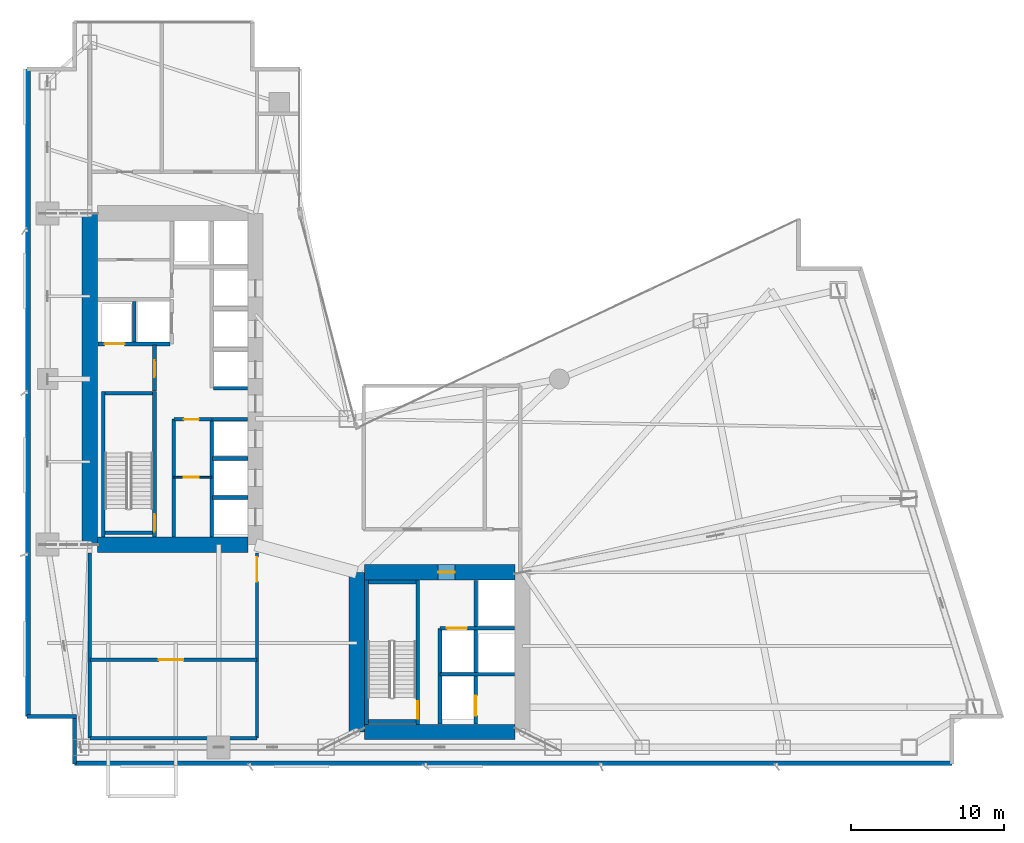
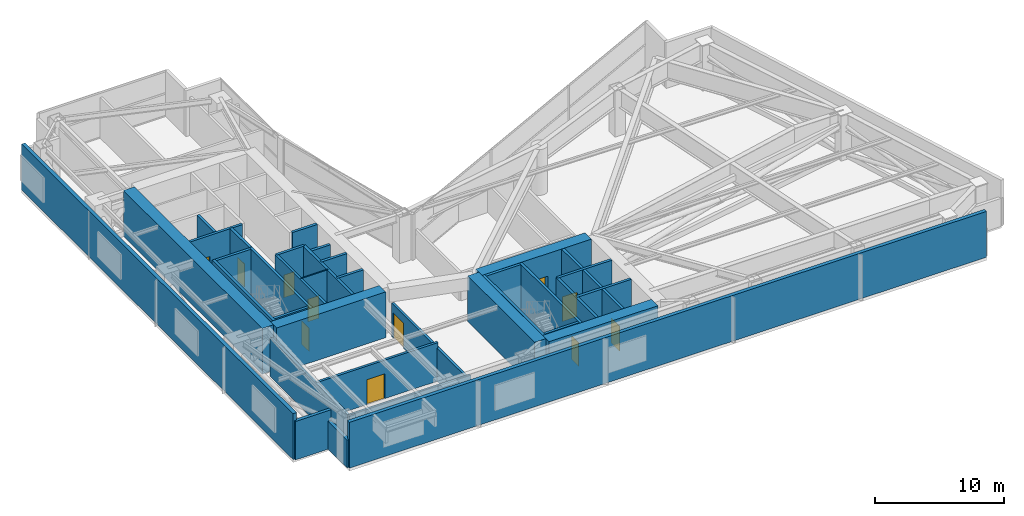
# One storey, part 14 of 18: 36 walls, 11 doors, 11 openings.
"""IFC4 building model written with IfcOpenShell, lengths in metres."""

from ifc_helpers import new_model, si_unit, direction, frame, frame_2d, origin, place, context, subcontext, project, spatial, rectangle, extrude, material, layer, layer_set, type_object, element, fill, save


model = new_model("IFC4")

# Units and contexts
model_context = context("Model", 3, precision=1e-05, world=origin(), true_north=direction((0.0, 1.0)))
body_context = subcontext(model_context, "Body", "Model", "MODEL_VIEW")
ifc_project = project(units=[si_unit("LENGTHUNIT", "METRE"), si_unit("AREAUNIT", "SQUARE_METRE"), si_unit("VOLUMEUNIT", "CUBIC_METRE"), si_unit("PLANEANGLEUNIT", "RADIAN"), si_unit("MASSUNIT", "GRAM", prefix="KILO")], contexts=[model_context])

# Site, building, storey
site_placement = place(None, origin())
site = spatial("IfcSite", under=ifc_project, at=site_placement, CompositionType="ELEMENT")
building_placement = place(site_placement, origin())
building = spatial("IfcBuilding", under=site, at=building_placement, Name="Calvorn Quay Hotel", CompositionType="ELEMENT")
storey_placement = place(building_placement, frame((0.0, 0.0, 92.60009765625)))
storey = spatial("IfcBuildingStorey", under=building, at=storey_placement, Name="L22", CompositionType="ELEMENT", Elevation=92.60009765625)

# Walls
ifc_material_1 = material(Name="Concrete C60", Category="concrete")
ifc_layer_1 = layer(ifc_material_1, 1.0)
ifc_layer_set_1 = layer_set([ifc_layer_1], Name="WL-CORE-1000")
wall_type_1 = type_object("IfcWallType", Name="WL-CORE-1000", PredefinedType="SHEAR", material=ifc_layer_set_1)
wall_1_placement = place(storey_placement, frame((4.199951171875, 16.800048828125, 0.0), z_axis=(0.0, 0.0, 1.0), x_axis=(0.0, 1.0, 0.0)))
element("IfcWall", 1, at=wall_1_placement, inside=storey, type_object=wall_type_1, Name="West Core Shear Wall W (L22)", PredefinedType="SHEAR", context=body_context, shape_type="SweptSolid", body=[
    extrude(rectangle(XDim=21.599853515625, YDim=1.0, at=frame_2d((10.7998046875, 0.0))), origin(), (0.0, 0.0, 1.0), 4.349853515625),
])
wall_2_placement = place(storey_placement, frame((4.699951171875, 16.800048828125, 0.0), z_axis=(0.0, 0.0, 1.0), x_axis=(1.0, 0.0, 0.0)))
element("IfcWall", 2, at=wall_2_placement, inside=storey, type_object=wall_type_1, Name="West Core Shear Wall S (L22)", PredefinedType="SHEAR", context=body_context, shape_type="SweptSolid", body=[
    extrude(rectangle(XDim=9.800048828125, YDim=1.0, at=frame_2d((4.89990234375, 0.0))), origin(), (0.0, 0.0, 1.0), 4.349853515625),
])
wall_3_placement = place(storey_placement, frame((21.60009765625, 4.60009765625, 0.0), z_axis=(0.0, 0.0, 1.0), x_axis=(0.0, 1.0, 0.0)))
element("IfcWall", 3, at=wall_3_placement, inside=storey, type_object=wall_type_1, Name="East Core Shear Wall W (L22)", PredefinedType="SHEAR", context=body_context, shape_type="SweptSolid", body=[
    extrude(rectangle(XDim=10.39990234375, YDim=1.0, at=frame_2d((5.199951171875, 0.0))), origin(), (0.0, 0.0, 1.0), 4.349853515625),
])

# Wall, opening, door
wall_4_placement = place(storey_placement, frame((22.10009765625, 15.0, 0.0), z_axis=(0.0, 0.0, 1.0), x_axis=(1.0, 0.0, 0.0)))
wall_4 = element("IfcWall", 4, at=wall_4_placement, inside=storey, type_object=wall_type_1, Name="East Core Shear Wall N (L22)", PredefinedType="SHEAR", context=body_context, shape_type="SweptSolid", body=[
    extrude(rectangle(XDim=9.7998046875, YDim=1.0, at=frame_2d((4.89990234375, 0.0))), origin(), (0.0, 0.0, 1.0), 4.349853515625),
])
opening_1_placement = place(wall_4_placement, frame((4.800048828125, 0.0, 0.0)))
opening_1 = element("IfcOpeningElement", 5, at=opening_1_placement, cuts=wall_4, Name="Opening D-L22-FLE", PredefinedType="OPENING", context=body_context, shape_type="SweptSolid", body=[
    extrude(rectangle(XDim=1.10009765625, YDim=2.199951171875, at=frame_2d((0.550048828125, 1.10009765625))), frame((0.0, 0.510009765625, 0.0), z_axis=(0.0, -1.0, 0.0), x_axis=(1.0, 0.0, 0.0)), (0.0, 0.0, 1.0), 1.02001953125),
])
ifc_material_2 = material(Name="Smoke-Sealed Steel Class A Fire Door", Category="steel")
door_type_1 = type_object("IfcDoorType", Name="DR-FFLOBBY-1100", OperationType="NOTDEFINED", PredefinedType="DOOR", material=ifc_material_2)
door_1_placement = place(opening_1_placement, origin())
door_1 = element("IfcDoor", 6, at=door_1_placement, inside=storey, type_object=door_type_1, Name="East Firefighting Lobby Fire Door (L22)", OperationType="SINGLE_SWING_RIGHT", OverallHeight=2.199951171875, OverallWidth=1.10009765625, PredefinedType="DOOR", context=body_context, shape_type="SweptSolid", body=[
    extrude(rectangle(XDim=1.10009765625, YDim=2.199951171875, at=frame_2d((0.550048828125, 1.10009765625))), frame((0.0, 0.02490234375, 0.0), z_axis=(0.0, -1.0, 0.0), x_axis=(1.0, 0.0, 0.0)), (0.0, 0.0, 1.0), 0.050048828125),
])
fill(opening_1, door_1)

# Wall
wall_5_placement = place(storey_placement, frame((22.10009765625, 4.60009765625, 0.0), z_axis=(0.0, 0.0, 1.0), x_axis=(1.0, 0.0, 0.0)))
element("IfcWall", 7, at=wall_5_placement, inside=storey, type_object=wall_type_1, Name="East Core Shear Wall S (L22)", PredefinedType="SHEAR", context=body_context, shape_type="SweptSolid", body=[
    extrude(rectangle(XDim=9.7998046875, YDim=1.0, at=frame_2d((4.89990234375, 0.0))), origin(), (0.0, 0.0, 1.0), 4.349853515625),
])

# Wall, opening, door
ifc_material_3 = material(Name="Moisture-Resistant Tile-Backed Partition")
ifc_layer_2 = layer(ifc_material_3, 0.125)
ifc_layer_set_2 = layer_set([ifc_layer_2], Name="WL-ENSUITE-125")
wall_type_2 = type_object("IfcWallType", Name="WL-ENSUITE-125", PredefinedType="PARTITIONING", material=ifc_layer_set_2)
wall_6_placement = place(storey_placement, frame((9.679931640625, 21.199951171875, 0.0), z_axis=(0.0, 0.0, 1.0), x_axis=(1.0, 0.0, 0.0)))
wall_6 = element("IfcWall", 8, at=wall_6_placement, inside=storey, type_object=wall_type_2, Name="Partition Wall L22-WL-CWW-SER-M", PredefinedType="PARTITIONING", context=body_context, shape_type="SweptSolid", body=[
    extrude(rectangle(XDim=2.469970703125, YDim=0.125, at=frame_2d((1.23486328125, 0.0))), origin(), (0.0, 0.0, 1.0), 4.349853515625),
])
opening_2_placement = place(wall_6_placement, frame((0.64990234375, 0.0, 0.0)))
opening_2 = element("IfcOpeningElement", 9, at=opening_2_placement, cuts=wall_6, Name="Opening D-L22-CSM", PredefinedType="OPENING", context=body_context, shape_type="SweptSolid", body=[
    extrude(rectangle(XDim=0.97998046875, YDim=2.14990234375, at=frame_2d((0.489990234375, 1.074951171875))), frame((0.0, 0.072509765625, 0.0), z_axis=(0.0, -1.0, 0.0), x_axis=(1.0, 0.0, 0.0)), (0.0, 0.0, 1.0), 0.14501953125),
])
ifc_material_4 = material(Name="Painted Steel Housekeeping/Riser Fire Door", Category="steel")
door_type_2 = type_object("IfcDoorType", Name="DR-SERVICE-980", OperationType="NOTDEFINED", PredefinedType="DOOR", material=ifc_material_4)
door_2_placement = place(opening_2_placement, origin())
door_2 = element("IfcDoor", 10, at=door_2_placement, inside=storey, type_object=door_type_2, Name="Core Valet Pantry Door (L22)", OperationType="SINGLE_SWING_LEFT", OverallHeight=2.14990234375, OverallWidth=0.97998046875, PredefinedType="DOOR", context=body_context, shape_type="SweptSolid", body=[
    extrude(rectangle(XDim=0.97998046875, YDim=2.14990234375, at=frame_2d((0.489990234375, 1.074951171875))), frame((0.0, 0.02490234375, 0.0), z_axis=(0.0, -1.0, 0.0), x_axis=(1.0, 0.0, 0.0)), (0.0, 0.0, 1.0), 0.050048828125),
])
fill(opening_2, door_2)

# Walls
ifc_material_5 = material(Name="Concrete C40", Category="concrete")
ifc_layer_3 = layer(ifc_material_5, 0.320068359375)
ifc_layer_set_3 = layer_set([ifc_layer_3], Name="WL-EXT-SPANDREL-320")
wall_type_3 = type_object("IfcWallType", Name="WL-EXT-SPANDREL-320", PredefinedType="SOLIDWALL", material=ifc_layer_set_3)
wall_7_placement = place(storey_placement, frame((0.159912109375, 5.60009765625, 0.0), z_axis=(0.0, 0.0, 1.0), x_axis=(0.0, 1.0, 0.0)))
element("IfcWall", 11, at=wall_7_placement, inside=storey, type_object=wall_type_3, Name="Refuge Mechanical Louvre Spandrel Wall West (L22)", PredefinedType="SOLIDWALL", context=body_context, shape_type="SweptSolid", body=[
    extrude(rectangle(XDim=42.199951171875, YDim=0.320068359375, at=frame_2d((21.10009765625, 0.0))), origin(), (0.0, 0.0, 1.0), 4.349853515625),
])
wall_8_placement = place(storey_placement, frame((3.199951171875, 2.56005859375, 0.0), z_axis=(0.0, 0.0, 1.0), x_axis=(1.0, 0.0, 0.0)))
element("IfcWall", 12, at=wall_8_placement, inside=storey, type_object=wall_type_3, Name="Refuge Mechanical Louvre Spandrel Wall South (L22)", PredefinedType="SOLIDWALL", context=body_context, shape_type="SweptSolid", body=[
    extrude(rectangle(XDim=57.199951171875, YDim=0.320068359375, at=frame_2d((28.60009765625, 0.0))), origin(), (0.0, 0.0, 1.0), 4.349853515625),
])
wall_9_placement = place(storey_placement, frame((0.1201171875, 5.60009765625, 0.0), z_axis=(0.0, 0.0, 1.0), x_axis=(1.0, 0.0, 0.0)))
element("IfcWall", 13, at=wall_9_placement, inside=storey, type_object=wall_type_3, Name="Notched Corner Spandrel L22-SW1", PredefinedType="SOLIDWALL", context=body_context, shape_type="SweptSolid", body=[
    extrude(rectangle(XDim=3.219970703125, YDim=0.280029296875, at=frame_2d((1.60986328125, 0.0))), origin(), (0.0, 0.0, 1.0), 3.64990234375),
])
wall_10_placement = place(storey_placement, frame((3.199951171875, 5.4599609375, 0.0), z_axis=(0.0, 0.0, 1.0), x_axis=(0.0, -1.0, 0.0)))
element("IfcWall", 14, at=wall_10_placement, inside=storey, type_object=wall_type_3, Name="Notched Corner Spandrel L22-SW2", PredefinedType="SOLIDWALL", context=body_context, shape_type="SweptSolid", body=[
    extrude(rectangle(XDim=2.93994140625, YDim=0.280029296875, at=frame_2d((1.469970703125, 0.0))), origin(), (0.0, 0.0, 1.0), 2.64990234375),
])
ifc_material_6 = material(Name="Autoclaved Aerated Masonry Block", Category="masonry")
ifc_layer_4 = layer(ifc_material_6, 0.219970703125)
ifc_layer_set_4 = layer_set([ifc_layer_4], Name="WL-LOBBY-FIRE-220")
wall_type_4 = type_object("IfcWallType", Name="WL-LOBBY-FIRE-220", PredefinedType="SOLIDWALL", material=ifc_layer_set_4)
wall_11_placement = place(storey_placement, frame((9.679931640625, 17.320068359375, 0.0), z_axis=(0.0, 0.0, 1.0), x_axis=(0.0, 1.0, 0.0)))
element("IfcWall", 15, at=wall_11_placement, inside=storey, type_object=wall_type_4, Name="Partition Wall L22-WL-CWW-STW-HALL-E", PredefinedType="SOLIDWALL", context=body_context, shape_type="SweptSolid", body=[
    extrude(rectangle(XDim=7.679931640625, YDim=0.219970703125, at=frame_2d((3.83984375, 0.0))), origin(), (0.0, 0.0, 1.0), 4.349853515625),
])
wall_12_placement = place(storey_placement, frame((4.199951171875, 4.199951171875, 0.0), z_axis=(0.0, 0.0, 1.0), x_axis=(0.0, 1.0, 0.0)))
element("IfcWall", 16, at=wall_12_placement, inside=storey, type_object=wall_type_4, Name="Partition Wall L22-WL-RF-BELT-W", PredefinedType="SOLIDWALL", context=body_context, shape_type="SweptSolid", body=[
    extrude(rectangle(XDim=12.050048828125, YDim=0.219970703125, at=frame_2d((6.02490234375, 0.0))), origin(), (0.0, 0.0, 1.0), 3.64990234375),
])
wall_13_placement = place(storey_placement, frame((4.199951171875, 4.199951171875, 0.0), z_axis=(0.0, 0.0, 1.0), x_axis=(1.0, 0.0, 0.0)))
element("IfcWall", 17, at=wall_13_placement, inside=storey, type_object=wall_type_4, Name="Partition Wall L22-WL-RF-BELT-S", PredefinedType="SOLIDWALL", context=body_context, shape_type="SweptSolid", body=[
    extrude(rectangle(XDim=10.900146484375, YDim=0.219970703125, at=frame_2d((5.4501953125, 0.0))), origin(), (0.0, 0.0, 1.0), 3.64990234375),
])

# Wall, opening, door
wall_14_placement = place(storey_placement, frame((4.199951171875, 9.300048828125, 0.0), z_axis=(0.0, 0.0, 1.0), x_axis=(1.0, 0.0, 0.0)))
wall_14 = element("IfcWall", 18, at=wall_14_placement, inside=storey, type_object=wall_type_4, Name="Partition Wall L22-WL-RF-PLT-M", PredefinedType="SOLIDWALL", context=body_context, shape_type="SweptSolid", body=[
    extrude(rectangle(XDim=10.900146484375, YDim=0.219970703125, at=frame_2d((5.4501953125, 0.0))), origin(), (0.0, 0.0, 1.0), 3.64990234375),
])
opening_3_placement = place(wall_14_placement, frame((4.5, 0.0, 0.0)))
opening_3 = element("IfcOpeningElement", 19, at=opening_3_placement, cuts=wall_14, Name="Opening D-L22-P2", PredefinedType="OPENING", context=body_context, shape_type="SweptSolid", body=[
    extrude(rectangle(XDim=1.60009765625, YDim=2.35009765625, at=frame_2d((0.800048828125, 1.175048828125))), frame((0.0, 0.119873046875, 0.0), z_axis=(0.0, -1.0, 0.0), x_axis=(1.0, 0.0, 0.0)), (0.0, 0.0, 1.0), 0.239990234375),
])
ifc_material_7 = material(Name="Heavy-Duty Steel Acoustic Plant Fire Door", Category="steel")
door_type_3 = type_object("IfcDoorType", Name="DR-PLANT-DBL-1600", OperationType="NOTDEFINED", PredefinedType="DOOR", material=ifc_material_7)
door_3_placement = place(opening_3_placement, origin())
door_3 = element("IfcDoor", 20, at=door_3_placement, inside=storey, type_object=door_type_3, Name="Fire Pump Room Door", OperationType="SINGLE_SWING_RIGHT", OverallHeight=2.35009765625, OverallWidth=1.60009765625, PredefinedType="DOOR", context=body_context, shape_type="SweptSolid", body=[
    extrude(rectangle(XDim=1.60009765625, YDim=2.35009765625, at=frame_2d((0.800048828125, 1.175048828125))), frame((0.0, 0.02490234375, 0.0), z_axis=(0.0, -1.0, 0.0), x_axis=(1.0, 0.0, 0.0)), (0.0, 0.0, 1.0), 0.050048828125),
])
fill(opening_3, door_3)

wall_15_placement = place(storey_placement, frame((15.10009765625, 4.199951171875, 0.0), z_axis=(0.0, 0.0, 1.0), x_axis=(0.0, 1.0, 0.0)))
wall_15 = element("IfcWall", 21, at=wall_15_placement, inside=storey, type_object=wall_type_4, Name="Partition Wall L22-WL-RF-PLT-E", PredefinedType="SOLIDWALL", context=body_context, shape_type="SweptSolid", body=[
    extrude(rectangle(XDim=12.050048828125, YDim=0.219970703125, at=frame_2d((6.02490234375, 0.0))), origin(), (0.0, 0.0, 1.0), 3.14990234375),
])
opening_4_placement = place(wall_15_placement, frame((10.199951171875, 0.0, 0.0)))
opening_4 = element("IfcOpeningElement", 22, at=opening_4_placement, cuts=wall_15, Name="Opening D-L22-P1", PredefinedType="OPENING", context=body_context, shape_type="SweptSolid", body=[
    extrude(rectangle(XDim=1.60009765625, YDim=2.35009765625, at=frame_2d((0.800048828125, 1.175048828125))), frame((0.0, 0.119873046875, 0.0), z_axis=(0.0, -1.0, 0.0), x_axis=(1.0, 0.0, 0.0)), (0.0, 0.0, 1.0), 0.239990234375),
])
door_4_placement = place(opening_4_placement, origin())
door_4 = element("IfcDoor", 23, at=door_4_placement, inside=storey, type_object=door_type_3, Name="HVAC Plant Fire Door", OperationType="SINGLE_SWING_LEFT", OverallHeight=2.35009765625, OverallWidth=1.60009765625, PredefinedType="DOOR", context=body_context, shape_type="SweptSolid", body=[
    extrude(rectangle(XDim=1.60009765625, YDim=2.35009765625, at=frame_2d((0.800048828125, 1.175048828125))), frame((0.0, 0.02490234375, 0.0), z_axis=(0.0, -1.0, 0.0), x_axis=(1.0, 0.0, 0.0)), (0.0, 0.0, 1.0), 0.050048828125),
])
fill(opening_4, door_4)

# Wall
ifc_material_8 = material(Name="Concrete C40", Category="concrete")
ifc_layer_5 = layer(ifc_material_8, 0.239990234375)
ifc_layer_set_5 = layer_set([ifc_layer_5], Name="WL-SHAFT-240")
wall_type_5 = type_object("IfcWallType", Name="WL-SHAFT-240", PredefinedType="SOLIDWALL", material=ifc_layer_set_5)
wall_16_placement = place(storey_placement, frame((5.080078125, 17.300048828125, 0.0), z_axis=(0.0, 0.0, 1.0), x_axis=(0.0, 1.0, 0.0)))
element("IfcWall", 24, at=wall_16_placement, inside=storey, type_object=wall_type_5, Name="Stair STW Shaft Wall W (L22)", PredefinedType="SOLIDWALL", context=body_context, shape_type="SweptSolid", body=[
    extrude(rectangle(XDim=9.489990234375, YDim=0.239990234375, at=frame_2d((4.7451171875, 0.0))), origin(), (0.0, 0.0, 1.0), 4.349853515625),
])

# Wall, opening, door
wall_17_placement = place(storey_placement, frame((8.419921875, 17.300048828125, 0.0), z_axis=(0.0, 0.0, 1.0), x_axis=(0.0, 1.0, 0.0)))
wall_17 = element("IfcWall", 25, at=wall_17_placement, inside=storey, type_object=wall_type_5, Name="Stair STW Shaft Wall E (L22)", PredefinedType="SOLIDWALL", context=body_context, shape_type="SweptSolid", body=[
    extrude(rectangle(XDim=9.489990234375, YDim=0.239990234375, at=frame_2d((4.7451171875, 0.0))), origin(), (0.0, 0.0, 1.0), 4.349853515625),
])
opening_5_placement = place(wall_17_placement, frame((0.35009765625, 0.0, 0.0)))
opening_5 = element("IfcOpeningElement", 26, at=opening_5_placement, cuts=wall_17, Name="Opening D-L22-STW", PredefinedType="OPENING", context=body_context, shape_type="SweptSolid", body=[
    extrude(rectangle(XDim=1.14990234375, YDim=2.199951171875, at=frame_2d((0.574951171875, 1.10009765625))), frame((0.0, 0.1298828125, 0.0), z_axis=(0.0, -1.0, 0.0), x_axis=(1.0, 0.0, 0.0)), (0.0, 0.0, 1.0), 0.260009765625),
])
ifc_material_9 = material(Name="Galvanised Steel Class A Fire Door", Category="steel")
door_type_4 = type_object("IfcDoorType", Name="DR-STAIR-SMOKE-1150", OperationType="NOTDEFINED", PredefinedType="DOOR", material=ifc_material_9)
door_5_placement = place(opening_5_placement, origin())
door_5 = element("IfcDoor", 27, at=door_5_placement, inside=storey, type_object=door_type_4, Name="Stair ST-W Fire Door (L22)", OperationType="SINGLE_SWING_LEFT", OverallHeight=2.199951171875, OverallWidth=1.14990234375, PredefinedType="DOOR", context=body_context, shape_type="SweptSolid", body=[
    extrude(rectangle(XDim=1.14990234375, YDim=2.199951171875, at=frame_2d((0.574951171875, 1.10009765625))), frame((0.0, 0.02490234375, 0.0), z_axis=(0.0, -1.0, 0.0), x_axis=(1.0, 0.0, 0.0)), (0.0, 0.0, 1.0), 0.050048828125),
])
fill(opening_5, door_5)

# Walls
for number, where, z_axis, x_axis, name in (
    (28, (5.199951171875, 17.580078125, 0.0), (0.0, 0.0, 1.0), (1.0, 0.0, 0.0), "Stair STW Shaft Wall S (L22)"),
    (29, (5.199951171875, 26.669921875, 0.0), (0.0, 0.0, 1.0), (1.0, 0.0, 0.0), "Stair STW Shaft Wall N (L22)"),
):
    element("IfcWall", number, at=place(storey_placement, frame(where, z_axis=z_axis, x_axis=x_axis)), inside=storey, type_object=wall_type_5, Name=name, PredefinedType="SOLIDWALL", context=body_context, shape_type="SweptSolid", body=[
        extrude(rectangle(XDim=3.10009765625, YDim=0.239990234375, at=frame_2d((1.550048828125, 0.0))), origin(), (0.0, 0.0, 1.0), 4.349853515625),
    ])
wall_18_placement = place(storey_placement, frame((22.22998046875, 5.10009765625, 0.0), z_axis=(0.0, 0.0, 1.0), x_axis=(0.0, 1.0, 0.0)))
element("IfcWall", 30, at=wall_18_placement, inside=storey, type_object=wall_type_5, Name="Stair STE Shaft Wall W (L22)", PredefinedType="SOLIDWALL", context=body_context, shape_type="SweptSolid", body=[
    extrude(rectangle(XDim=9.389892578125, YDim=0.239990234375, at=frame_2d((4.69482421875, 0.0))), origin(), (0.0, 0.0, 1.0), 4.349853515625),
])

# Wall, opening, door
wall_19_placement = place(storey_placement, frame((25.570068359375, 5.10009765625, 0.0), z_axis=(0.0, 0.0, 1.0), x_axis=(0.0, 1.0, 0.0)))
wall_19 = element("IfcWall", 31, at=wall_19_placement, inside=storey, type_object=wall_type_5, Name="Stair STE Shaft Wall E (L22)", PredefinedType="SOLIDWALL", context=body_context, shape_type="SweptSolid", body=[
    extrude(rectangle(XDim=9.389892578125, YDim=0.239990234375, at=frame_2d((4.69482421875, 0.0))), origin(), (0.0, 0.0, 1.0), 4.349853515625),
])
opening_6_placement = place(wall_19_placement, frame((0.35009765625, 0.0, 0.0)))
opening_6 = element("IfcOpeningElement", 32, at=opening_6_placement, cuts=wall_19, Name="Opening D-L22-STE", PredefinedType="OPENING", context=body_context, shape_type="SweptSolid", body=[
    extrude(rectangle(XDim=1.14990234375, YDim=2.199951171875, at=frame_2d((0.574951171875, 1.10009765625))), frame((0.0, 0.1298828125, 0.0), z_axis=(0.0, -1.0, 0.0), x_axis=(1.0, 0.0, 0.0)), (0.0, 0.0, 1.0), 0.260009765625),
])
door_6_placement = place(opening_6_placement, origin())
door_6 = element("IfcDoor", 33, at=door_6_placement, inside=storey, type_object=door_type_4, Name="Stair ST-E Fire Door (L22)", OperationType="SINGLE_SWING_RIGHT", OverallHeight=2.199951171875, OverallWidth=1.14990234375, PredefinedType="DOOR", context=body_context, shape_type="SweptSolid", body=[
    extrude(rectangle(XDim=1.14990234375, YDim=2.199951171875, at=frame_2d((0.574951171875, 1.10009765625))), frame((0.0, 0.02490234375, 0.0), z_axis=(0.0, -1.0, 0.0), x_axis=(1.0, 0.0, 0.0)), (0.0, 0.0, 1.0), 0.050048828125),
])
fill(opening_6, door_6)

# Walls
for number, where, z_axis, x_axis, name in (
    (34, (22.35009765625, 5.280029296875, 0.0), (0.0, 0.0, 1.0), (1.0, 0.0, 0.0), "Stair STE Shaft Wall S (L22)"),
    (35, (22.35009765625, 14.3701171875, 0.0), (0.0, 0.0, 1.0), (1.0, 0.0, 0.0), "Stair STE Shaft Wall N (L22)"),
):
    element("IfcWall", number, at=place(storey_placement, frame(where, z_axis=z_axis, x_axis=x_axis)), inside=storey, type_object=wall_type_5, Name=name, PredefinedType="SOLIDWALL", context=body_context, shape_type="SweptSolid", body=[
        extrude(rectangle(XDim=3.099853515625, YDim=0.239990234375, at=frame_2d((1.5498046875, 0.0))), origin(), (0.0, 0.0, 1.0), 4.349853515625),
    ])
for number, where, z_axis, x_axis, name in (
    (36, (12.179931640625, 19.875, 0.0), (0.0, 0.0, 1.0), (1.0, 0.0, 0.0), "Lift Hoistway Divider Wall PLL12 (L22)"),
    (37, (12.179931640625, 22.425048828125, 0.0), (0.0, 0.0, 1.0), (1.0, 0.0, 0.0), "Lift Hoistway Divider Wall PLL23 (L22)"),
):
    element("IfcWall", number, at=place(storey_placement, frame(where, z_axis=z_axis, x_axis=x_axis)), inside=storey, type_object=wall_type_5, Name=name, PredefinedType="SOLIDWALL", context=body_context, shape_type="SweptSolid", body=[
        extrude(rectangle(XDim=2.320068359375, YDim=0.239990234375, at=frame_2d((1.16015625, 0.0))), origin(), (0.0, 0.0, 1.0), 4.349853515625),
    ])

# Wall, opening, door
wall_20_placement = place(storey_placement, frame((8.419921875, 26.820068359375, 0.0), z_axis=(0.0, 0.0, 1.0), x_axis=(0.0, 1.0, 0.0)))
wall_20 = element("IfcWall", 38, at=wall_20_placement, inside=storey, type_object=wall_type_5, Name="Partition Wall L22-WL-CWW-FFL-E", PredefinedType="SOLIDWALL", context=body_context, shape_type="SweptSolid", body=[
    extrude(rectangle(XDim=3.0, YDim=0.239990234375, at=frame_2d((1.5, 0.0))), origin(), (0.0, 0.0, 1.0), 4.349853515625),
])
opening_7_placement = place(wall_20_placement, frame((0.89990234375, 0.0, 0.0)))
opening_7 = element("IfcOpeningElement", 39, at=opening_7_placement, cuts=wall_20, Name="Opening D-L22-FLW", PredefinedType="OPENING", context=body_context, shape_type="SweptSolid", body=[
    extrude(rectangle(XDim=1.10009765625, YDim=2.199951171875, at=frame_2d((0.550048828125, 1.10009765625))), frame((0.0, 0.1298828125, 0.0), z_axis=(0.0, -1.0, 0.0), x_axis=(1.0, 0.0, 0.0)), (0.0, 0.0, 1.0), 0.260009765625),
])
door_7_placement = place(opening_7_placement, origin())
door_7 = element("IfcDoor", 40, at=door_7_placement, inside=storey, type_object=door_type_1, Name="West Firefighting Lobby Fire Door (L22)", OperationType="SINGLE_SWING_RIGHT", OverallHeight=2.199951171875, OverallWidth=1.10009765625, PredefinedType="DOOR", context=body_context, shape_type="SweptSolid", body=[
    extrude(rectangle(XDim=1.10009765625, YDim=2.199951171875, at=frame_2d((0.550048828125, 1.10009765625))), frame((0.0, 0.02490234375, 0.0), z_axis=(0.0, -1.0, 0.0), x_axis=(1.0, 0.0, 0.0)), (0.0, 0.0, 1.0), 0.050048828125),
])
fill(opening_7, door_7)

wall_21_placement = place(storey_placement, frame((4.719970703125, 29.8798828125, 0.0), z_axis=(0.0, 0.0, 1.0), x_axis=(1.0, 0.0, 0.0)))
wall_21 = element("IfcWall", 41, at=wall_21_placement, inside=storey, type_object=wall_type_5, Name="Partition Wall L22-WL-CWW-FLW-S", PredefinedType="SOLIDWALL", context=body_context, shape_type="SweptSolid", body=[
    extrude(rectangle(XDim=4.699951171875, YDim=0.239990234375, at=frame_2d((2.35009765625, 0.0))), origin(), (0.0, 0.0, 1.0), 4.349853515625),
])
opening_8_placement = place(wall_21_placement, frame((0.449951171875, 0.0, 0.0)))
opening_8 = element("IfcOpeningElement", 42, at=opening_8_placement, cuts=wall_21, Name="Opening LD-L22-FLW1", PredefinedType="OPENING", context=body_context, shape_type="SweptSolid", body=[
    extrude(rectangle(XDim=1.300048828125, YDim=2.35009765625, at=frame_2d((0.64990234375, 1.175048828125))), frame((0.0, 0.1298828125, 0.0), z_axis=(0.0, -1.0, 0.0), x_axis=(1.0, 0.0, 0.0)), (0.0, 0.0, 1.0), 0.260009765625),
])
ifc_material_10 = material(Name="Champagne-Bronze Sliding Express Lift Landing Door")
door_type_5 = type_object("IfcDoorType", Name="DR-LIFT-SHUTTLE-1300", OperationType="NOTDEFINED", PredefinedType="DOOR", material=ifc_material_10)
door_8_placement = place(opening_8_placement, origin())
door_8 = element("IfcDoor", 43, at=door_8_placement, inside=storey, type_object=door_type_5, Name="Firefighting Lift FL-W1 Landing Door (L22)", OperationType="DOUBLE_DOOR_SLIDING", OverallHeight=2.35009765625, OverallWidth=1.300048828125, PredefinedType="DOOR", context=body_context, shape_type="SweptSolid", body=[
    extrude(rectangle(XDim=1.300048828125, YDim=2.35009765625, at=frame_2d((0.64990234375, 1.175048828125))), frame((0.0, 0.02490234375, 0.0), z_axis=(0.0, -1.0, 0.0), x_axis=(1.0, 0.0, 0.0)), (0.0, 0.0, 1.0), 0.050048828125),
])
fill(opening_8, door_8)

# Walls
wall_22_placement = place(storey_placement, frame((7.10009765625, 30.02001953125, 0.0), z_axis=(0.0, 0.0, 1.0), x_axis=(0.0, 1.0, 0.0)))
element("IfcWall", 44, at=wall_22_placement, inside=storey, type_object=wall_type_5, Name="Partition Wall L22-WL-CWW-FLW-DIV", PredefinedType="SOLIDWALL", context=body_context, shape_type="SweptSolid", body=[
    extrude(rectangle(XDim=2.6298828125, YDim=0.239990234375, at=frame_2d((1.31494140625, 0.0))), origin(), (0.0, 0.0, 1.0), 4.349853515625),
])
wall_23_placement = place(storey_placement, frame((12.14990234375, 17.320068359375, 0.0), z_axis=(0.0, 0.0, 1.0), x_axis=(0.0, 1.0, 0.0)))
element("IfcWall", 45, at=wall_23_placement, inside=storey, type_object=wall_type_5, Name="Partition Wall L22-WL-CWW-PLL-W", PredefinedType="SOLIDWALL", context=body_context, shape_type="SweptSolid", body=[
    extrude(rectangle(XDim=7.64990234375, YDim=0.239990234375, at=frame_2d((3.824951171875, 0.0))), origin(), (0.0, 0.0, 1.0), 4.349853515625),
])

# Wall, opening, door
wall_24_placement = place(storey_placement, frame((9.679931640625, 24.969970703125, 0.0), z_axis=(0.0, 0.0, 1.0), x_axis=(1.0, 0.0, 0.0)))
wall_24 = element("IfcWall", 46, at=wall_24_placement, inside=storey, type_object=wall_type_5, Name="Partition Wall L22-WL-CWW-SER-N", PredefinedType="SOLIDWALL", context=body_context, shape_type="SweptSolid", body=[
    extrude(rectangle(XDim=2.469970703125, YDim=0.239990234375, at=frame_2d((1.23486328125, 0.0))), origin(), (0.0, 0.0, 1.0), 4.349853515625),
])
opening_9_placement = place(wall_24_placement, frame((0.64990234375, 0.0, 0.0)))
opening_9 = element("IfcOpeningElement", 47, at=opening_9_placement, cuts=wall_24, Name="Opening D-L22-CSR", PredefinedType="OPENING", context=body_context, shape_type="SweptSolid", body=[
    extrude(rectangle(XDim=0.97998046875, YDim=2.14990234375, at=frame_2d((0.489990234375, 1.074951171875))), frame((0.0, 0.1298828125, 0.0), z_axis=(0.0, -1.0, 0.0), x_axis=(1.0, 0.0, 0.0)), (0.0, 0.0, 1.0), 0.260009765625),
])
door_9_placement = place(opening_9_placement, origin())
door_9 = element("IfcDoor", 48, at=door_9_placement, inside=storey, type_object=door_type_2, Name="Core Service Closet Door (L22)", OperationType="SINGLE_SWING_LEFT", OverallHeight=2.14990234375, OverallWidth=0.97998046875, PredefinedType="DOOR", context=body_context, shape_type="SweptSolid", body=[
    extrude(rectangle(XDim=0.97998046875, YDim=2.14990234375, at=frame_2d((0.489990234375, 1.074951171875))), frame((0.0, 0.02490234375, 0.0), z_axis=(0.0, -1.0, 0.0), x_axis=(1.0, 0.0, 0.0)), (0.0, 0.0, 1.0), 0.050048828125),
])
fill(opening_9, door_9)

# Walls
wall_25_placement = place(storey_placement, frame((12.14990234375, 24.969970703125, 0.0), z_axis=(0.0, 0.0, 1.0), x_axis=(1.0, 0.0, 0.0)))
element("IfcWall", 49, at=wall_25_placement, inside=storey, type_object=wall_type_5, Name="Partition Wall L22-WL-CWW-PLL-SHN", PredefinedType="SOLIDWALL", context=body_context, shape_type="SweptSolid", body=[
    extrude(rectangle(XDim=2.330078125, YDim=0.239990234375, at=frame_2d((1.1650390625, 0.0))), origin(), (0.0, 0.0, 1.0), 3.64990234375),
])
wall_26_placement = place(storey_placement, frame((12.25, 27.0, 0.0), z_axis=(0.0, 0.0, 1.0), x_axis=(1.0, 0.0, 0.0)))
element("IfcWall", 50, at=wall_26_placement, inside=storey, type_object=wall_type_5, Name="Partition Wall L22-WL-CWW-PLM-S", PredefinedType="SOLIDWALL", context=body_context, shape_type="SweptSolid", body=[
    extrude(rectangle(XDim=2.22998046875, YDim=0.239990234375, at=frame_2d((1.114990234375, 0.0))), origin(), (0.0, 0.0, 1.0), 4.349853515625),
])
wall_27_placement = place(storey_placement, frame((27.02001953125, 5.1201171875, 0.0), z_axis=(0.0, 0.0, 1.0), x_axis=(0.0, 1.0, 0.0)))
element("IfcWall", 51, at=wall_27_placement, inside=storey, type_object=wall_type_5, Name="Partition Wall L22-WL-CWE-SH-W", PredefinedType="SOLIDWALL", context=body_context, shape_type="SweptSolid", body=[
    extrude(rectangle(XDim=6.22998046875, YDim=0.239990234375, at=frame_2d((3.114990234375, 0.0))), origin(), (0.0, 0.0, 1.0), 4.349853515625),
])

# Wall, opening, door
wall_28_placement = place(storey_placement, frame((27.02001953125, 11.35009765625, 0.0), z_axis=(0.0, 0.0, 1.0), x_axis=(1.0, 0.0, 0.0)))
wall_28 = element("IfcWall", 52, at=wall_28_placement, inside=storey, type_object=wall_type_5, Name="Partition Wall L22-WL-CWE-FFL-S", PredefinedType="SOLIDWALL", context=body_context, shape_type="SweptSolid", body=[
    extrude(rectangle(XDim=4.85986328125, YDim=0.239990234375, at=frame_2d((2.429931640625, 0.0))), origin(), (0.0, 0.0, 1.0), 4.349853515625),
])
opening_10_placement = place(wall_28_placement, frame((0.449951171875, 0.0, 0.0)))
opening_10 = element("IfcOpeningElement", 53, at=opening_10_placement, cuts=wall_28, Name="Opening LD-L22-FLE1", PredefinedType="OPENING", context=body_context, shape_type="SweptSolid", body=[
    extrude(rectangle(XDim=1.300048828125, YDim=2.35009765625, at=frame_2d((0.64990234375, 1.175048828125))), frame((0.0, 0.1298828125, 0.0), z_axis=(0.0, -1.0, 0.0), x_axis=(1.0, 0.0, 0.0)), (0.0, 0.0, 1.0), 0.260009765625),
])
door_10_placement = place(opening_10_placement, origin())
door_10 = element("IfcDoor", 54, at=door_10_placement, inside=storey, type_object=door_type_5, Name="Firefighting Lift FL-E1 Landing Door (L22)", OperationType="DOUBLE_DOOR_SLIDING", OverallHeight=2.35009765625, OverallWidth=1.300048828125, PredefinedType="DOOR", context=body_context, shape_type="SweptSolid", body=[
    extrude(rectangle(XDim=1.300048828125, YDim=2.35009765625, at=frame_2d((0.64990234375, 1.175048828125))), frame((0.0, 0.02490234375, 0.0), z_axis=(0.0, -1.0, 0.0), x_axis=(1.0, 0.0, 0.0)), (0.0, 0.0, 1.0), 0.050048828125),
])
fill(opening_10, door_10)

# Wall
wall_29_placement = place(storey_placement, frame((27.02001953125, 8.35009765625, 0.0), z_axis=(0.0, 0.0, 1.0), x_axis=(1.0, 0.0, 0.0)))
element("IfcWall", 55, at=wall_29_placement, inside=storey, type_object=wall_type_5, Name="Partition Wall L22-WL-CWE-SL-N", PredefinedType="SOLIDWALL", context=body_context, shape_type="SweptSolid", body=[
    extrude(rectangle(XDim=4.85986328125, YDim=0.239990234375, at=frame_2d((2.429931640625, 0.0))), origin(), (0.0, 0.0, 1.0), 4.349853515625),
])

# Wall, opening, door
wall_30_placement = place(storey_placement, frame((29.35009765625, 5.1201171875, 0.0), z_axis=(0.0, 0.0, 1.0), x_axis=(0.0, 1.0, 0.0)))
wall_30 = element("IfcWall", 56, at=wall_30_placement, inside=storey, type_object=wall_type_5, Name="Partition Wall L22-WL-CWE-OB-W", PredefinedType="SOLIDWALL", context=body_context, shape_type="SweptSolid", body=[
    extrude(rectangle(XDim=9.35986328125, YDim=0.239990234375, at=frame_2d((4.679931640625, 0.0))), origin(), (0.0, 0.0, 1.0), 4.349853515625),
])
opening_11_placement = place(wall_30_placement, frame((0.550048828125, 0.0, 0.0)))
opening_11 = element("IfcOpeningElement", 57, at=opening_11_placement, cuts=wall_30, Name="Opening LD-L22-SLEI", PredefinedType="OPENING", context=body_context, shape_type="SweptSolid", body=[
    extrude(rectangle(XDim=1.300048828125, YDim=2.35009765625, at=frame_2d((0.64990234375, 1.175048828125))), frame((0.0, 0.1298828125, 0.0), z_axis=(0.0, -1.0, 0.0), x_axis=(1.0, 0.0, 0.0)), (0.0, 0.0, 1.0), 0.260009765625),
])
door_11_placement = place(opening_11_placement, origin())
door_11 = element("IfcDoor", 58, at=door_11_placement, inside=storey, type_object=door_type_5, Name="Service Lift SL-E1 Landing Door (L22)", OperationType="DOUBLE_DOOR_SLIDING", OverallHeight=2.35009765625, OverallWidth=1.300048828125, PredefinedType="DOOR", context=body_context, shape_type="SweptSolid", body=[
    extrude(rectangle(XDim=1.300048828125, YDim=2.35009765625, at=frame_2d((0.64990234375, 1.175048828125))), frame((0.0, 0.02490234375, 0.0), z_axis=(0.0, -1.0, 0.0), x_axis=(1.0, 0.0, 0.0)), (0.0, 0.0, 1.0), 0.050048828125),
])
fill(opening_11, door_11)

save(model, "model.ifc")
